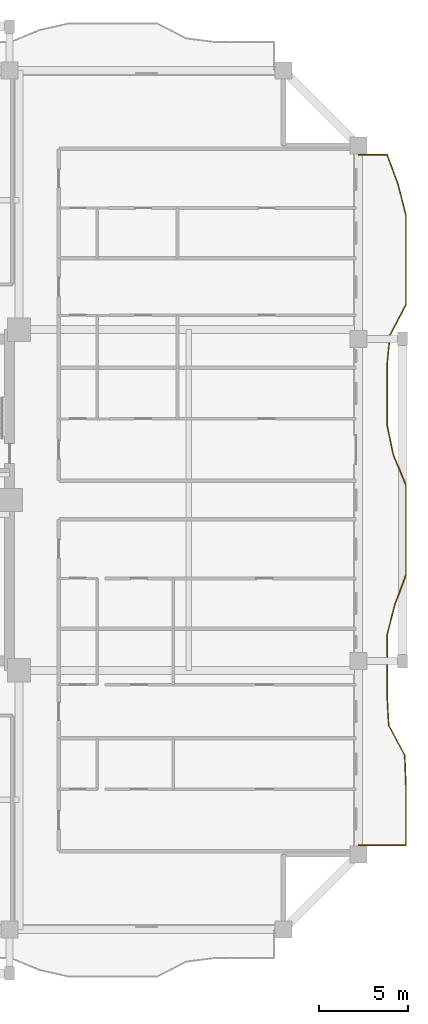
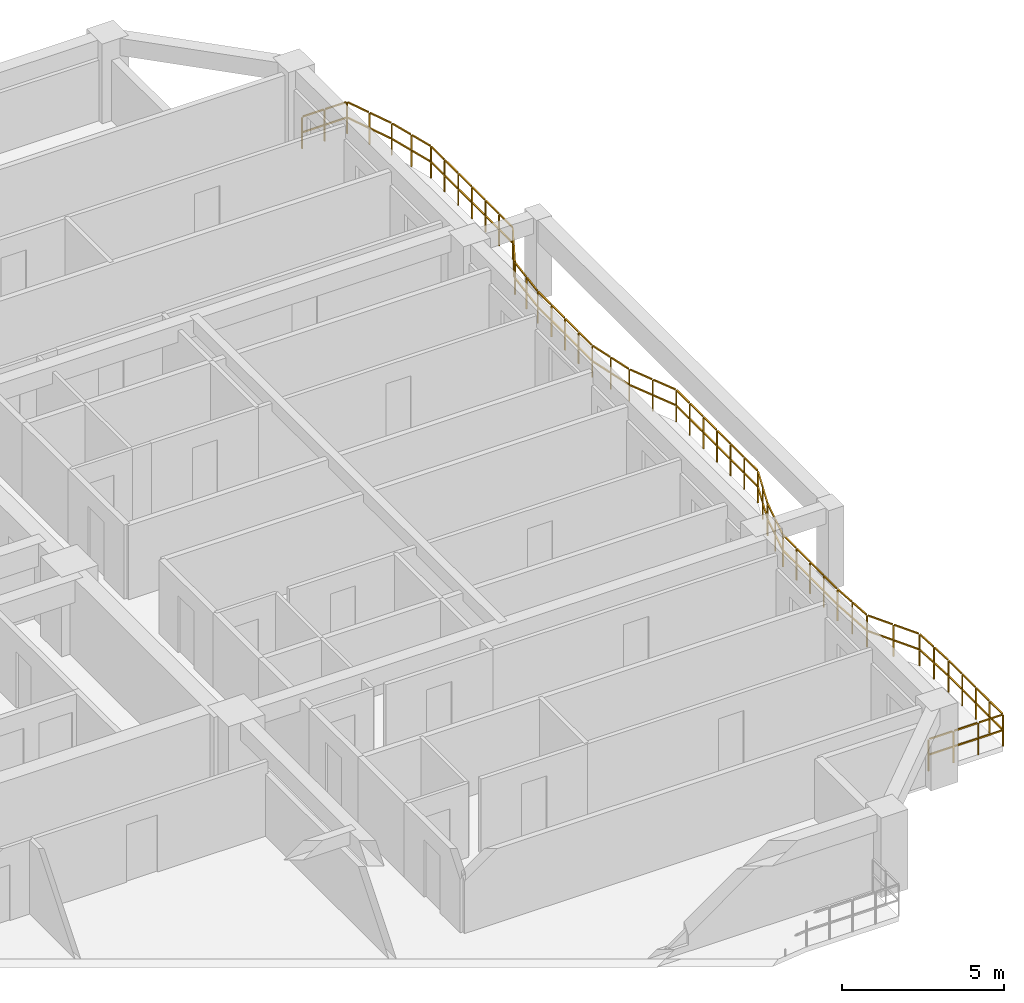
# One storey, part 12 of 13: 1 railing.
"""IFC4 building model written with IfcOpenShell, lengths in metres."""

from ifc_helpers import new_model, si_unit, direction, frame, origin, origin_2d, place, context, subcontext, project, spatial, rectangle, extrude, material, type_object, element, save


model = new_model("IFC4")

# Units and contexts
model_context = context("Model", 3, precision=1e-05, world=origin(), true_north=direction((0.0, 1.0)))
body_context = subcontext(model_context, "Body", "Model", "MODEL_VIEW")
ifc_project = project(units=[si_unit("LENGTHUNIT", "METRE"), si_unit("AREAUNIT", "SQUARE_METRE"), si_unit("VOLUMEUNIT", "CUBIC_METRE"), si_unit("PLANEANGLEUNIT", "RADIAN"), si_unit("MASSUNIT", "GRAM", prefix="KILO")], contexts=[model_context])

# Site, building, storey
site_placement = place(None, origin())
site = spatial("IfcSite", under=ifc_project, at=site_placement, CompositionType="ELEMENT")
building_placement = place(site_placement, origin())
building = spatial("IfcBuilding", under=site, at=building_placement, Name="Saelheon Loggia Tower", CompositionType="ELEMENT")
storey_placement = place(building_placement, frame((0.0, 0.0, 92.85009765625)))
storey = spatial("IfcBuildingStorey", under=building, at=storey_placement, Name="L29", CompositionType="ELEMENT", Elevation=92.85009765625)

# Railing
ifc_material = material(Name="Architectural Precast Concrete and Laminated Glass Guard", Category="concrete")
railing_type = type_object("IfcRailingType", Name="Guard_Loggia_RL_LOG", PredefinedType="BALUSTRADE", material=ifc_material)
railing_placement = place(storey_placement, frame((64.0, 7.699951171875, 0.0)))
element("IfcRailing", 1, at=railing_placement, inside=storey, type_object=railing_type, Name="L29 East Loggia Balustrade", PredefinedType="BALUSTRADE", context=body_context, shape_type="SweptSolid", body=[
    extrude(rectangle(XDim=0.048095703125, YDim=0.048095703125, at=origin_2d()), frame((0.033203125, 0.0, 1.19580078125), z_axis=(1.0, 0.0, 0.0), x_axis=(0.0, 1.0, 0.0)), (0.0, 0.0, 1.0), 0.81689453125),
    extrude(rectangle(XDim=0.048095703125, YDim=0.048095703125, at=origin_2d()), frame((0.033203125, 0.0, 0.60986328125), z_axis=(1.0, 0.0, 0.0), x_axis=(0.0, 1.0, 0.0)), (0.0, 0.0, 1.0), 0.81689453125),
    extrude(rectangle(XDim=0.048095703125, YDim=0.048095703125, at=origin_2d()), frame((0.91650390625, 0.0, 1.19580078125), z_axis=(1.0, 0.0, 0.0), x_axis=(0.0, 1.0, 0.0)), (0.0, 0.0, 1.0), 0.81689453125),
    extrude(rectangle(XDim=0.048095703125, YDim=0.048095703125, at=origin_2d()), frame((0.91650390625, 0.0, 0.60986328125), z_axis=(1.0, 0.0, 0.0), x_axis=(0.0, 1.0, 0.0)), (0.0, 0.0, 1.0), 0.81689453125),
    extrude(rectangle(XDim=0.048095703125, YDim=0.048095703125, at=origin_2d()), frame((1.7998046875, 0.0, 1.19580078125), z_axis=(1.0, 0.0, 0.0), x_axis=(0.0, 1.0, 0.0)), (0.0, 0.0, 1.0), 0.81689453125),
    extrude(rectangle(XDim=0.048095703125, YDim=0.048095703125, at=origin_2d()), frame((1.7998046875, 0.0, 0.60986328125), z_axis=(1.0, 0.0, 0.0), x_axis=(0.0, 1.0, 0.0)), (0.0, 0.0, 1.0), 0.81689453125),
    extrude(rectangle(XDim=0.048095703125, YDim=0.048095703125, at=origin_2d()), frame((2.64990234375, 0.033203125, 1.19580078125), z_axis=(0.0, 1.0, 0.0), x_axis=(-1.0, 0.0, 0.0)), (0.0, 0.0, 1.0), 0.772705078125),
    extrude(rectangle(XDim=0.048095703125, YDim=0.048095703125, at=origin_2d()), frame((2.64990234375, 0.033203125, 0.60986328125), z_axis=(0.0, 1.0, 0.0), x_axis=(-1.0, 0.0, 0.0)), (0.0, 0.0, 1.0), 0.772705078125),
    extrude(rectangle(XDim=0.048095703125, YDim=0.048095703125, at=origin_2d()), frame((2.64990234375, 0.87255859375, 1.19580078125), z_axis=(0.0, 1.0, 0.0), x_axis=(-1.0, 0.0, 0.0)), (0.0, 0.0, 1.0), 0.772705078125),
    extrude(rectangle(XDim=0.048095703125, YDim=0.048095703125, at=origin_2d()), frame((2.64990234375, 0.87255859375, 0.60986328125), z_axis=(0.0, 1.0, 0.0), x_axis=(-1.0, 0.0, 0.0)), (0.0, 0.0, 1.0), 0.772705078125),
    extrude(rectangle(XDim=0.048095703125, YDim=0.048095703125, at=origin_2d()), frame((2.64990234375, 1.711669921875, 1.19580078125), z_axis=(0.0, 1.0, 0.0), x_axis=(-1.0, 0.0, 0.0)), (0.0, 0.0, 1.0), 0.7724609375),
    extrude(rectangle(XDim=0.048095703125, YDim=0.048095703125, at=origin_2d()), frame((2.64990234375, 1.711669921875, 0.60986328125), z_axis=(0.0, 1.0, 0.0), x_axis=(-1.0, 0.0, 0.0)), (0.0, 0.0, 1.0), 0.7724609375),
    extrude(rectangle(XDim=0.048095703125, YDim=0.048095703125, at=origin_2d()), frame((2.64990234375, 2.55078125, 1.19580078125), z_axis=(0.0, 1.0, 0.0), x_axis=(-1.0, 0.0, 0.0)), (0.0, 0.0, 1.0), 0.7724609375),
    extrude(rectangle(XDim=0.048095703125, YDim=0.048095703125, at=origin_2d()), frame((2.64990234375, 2.55078125, 0.60986328125), z_axis=(0.0, 1.0, 0.0), x_axis=(-1.0, 0.0, 0.0)), (0.0, 0.0, 1.0), 0.7724609375),
    extrude(rectangle(XDim=0.048095703125, YDim=0.048095703125, at=origin_2d()), frame((2.648681640625, 3.3896484375, 1.19580078125), z_axis=(-0.038516851919, 0.999257950741, 0.0), x_axis=(-0.999257950741, -0.038516851919, 0.0)), (0.0, 0.0, 1.0), 0.7734375),
    extrude(rectangle(XDim=0.048095703125, YDim=0.048095703125, at=origin_2d()), frame((2.648681640625, 3.3896484375, 0.60986328125), z_axis=(-0.038516851919, 0.999257950741, 0.0), x_axis=(-0.999257950741, -0.038516851919, 0.0)), (0.0, 0.0, 1.0), 0.7734375),
    extrude(rectangle(XDim=0.048095703125, YDim=0.048095703125, at=origin_2d()), frame((2.6162109375, 4.22900390625, 1.19580078125), z_axis=(-0.038516851919, 0.999257950741, 0.0), x_axis=(-0.999257950741, -0.038516851919, 0.0)), (0.0, 0.0, 1.0), 0.7734375),
    extrude(rectangle(XDim=0.048095703125, YDim=0.048095703125, at=origin_2d()), frame((2.6162109375, 4.22900390625, 0.60986328125), z_axis=(-0.038516851919, 0.999257950741, 0.0), x_axis=(-0.999257950741, -0.038516851919, 0.0)), (0.0, 0.0, 1.0), 0.7734375),
    extrude(rectangle(XDim=0.048095703125, YDim=0.048095703125, at=origin_2d()), frame((2.569580078125, 5.064208984375, 1.19580078125), z_axis=(-0.470574910471, 0.88236004762, 0.0), x_axis=(-0.88236004762, -0.470574910471, 0.0)), (0.0, 0.0, 1.0), 0.884521484375),
    extrude(rectangle(XDim=0.048095703125, YDim=0.048095703125, at=origin_2d()), frame((2.569580078125, 5.064208984375, 0.60986328125), z_axis=(-0.470574910471, 0.88236004762, 0.0), x_axis=(-0.88236004762, -0.470574910471, 0.0)), (0.0, 0.0, 1.0), 0.884521484375),
    extrude(rectangle(XDim=0.048095703125, YDim=0.048095703125, at=origin_2d()), frame((2.1220703125, 5.9033203125, 1.19580078125), z_axis=(-0.470574910471, 0.88236004762, 0.0), x_axis=(-0.88236004762, -0.470574910471, 0.0)), (0.0, 0.0, 1.0), 0.884521484375),
    extrude(rectangle(XDim=0.048095703125, YDim=0.048095703125, at=origin_2d()), frame((2.1220703125, 5.9033203125, 0.60986328125), z_axis=(-0.470574910471, 0.88236004762, 0.0), x_axis=(-0.88236004762, -0.470574910471, 0.0)), (0.0, 0.0, 1.0), 0.884521484375),
    extrude(rectangle(XDim=0.048095703125, YDim=0.048095703125, at=origin_2d()), frame((1.6884765625, 6.746337890625, 1.19580078125), z_axis=(-0.053603359192, 0.99856230646, 0.0), x_axis=(-0.99856230646, -0.053603359192, 0.0)), (0.0, 0.0, 1.0), 0.77392578125),
    extrude(rectangle(XDim=0.048095703125, YDim=0.048095703125, at=origin_2d()), frame((1.6884765625, 6.746337890625, 0.60986328125), z_axis=(-0.053603359192, 0.99856230646, 0.0), x_axis=(-0.99856230646, -0.053603359192, 0.0)), (0.0, 0.0, 1.0), 0.77392578125),
    extrude(rectangle(XDim=0.048095703125, YDim=0.048095703125, at=origin_2d()), frame((1.643310546875, 7.58544921875, 1.19580078125), z_axis=(-0.053603359192, 0.99856230646, 0.0), x_axis=(-0.99856230646, -0.053603359192, 0.0)), (0.0, 0.0, 1.0), 0.77392578125),
    extrude(rectangle(XDim=0.048095703125, YDim=0.048095703125, at=origin_2d()), frame((1.643310546875, 7.58544921875, 0.60986328125), z_axis=(-0.053603359192, 0.99856230646, 0.0), x_axis=(-0.99856230646, -0.053603359192, 0.0)), (0.0, 0.0, 1.0), 0.77392578125),
    extrude(rectangle(XDim=0.048095703125, YDim=0.048095703125, at=origin_2d()), frame((1.60009765625, 8.424560546875, 1.19580078125), z_axis=(0.0, 1.0, 0.0), x_axis=(-1.0, 0.0, 0.0)), (0.0, 0.0, 1.0), 0.772705078125),
    extrude(rectangle(XDim=0.048095703125, YDim=0.048095703125, at=origin_2d()), frame((1.60009765625, 8.424560546875, 0.60986328125), z_axis=(0.0, 1.0, 0.0), x_axis=(-1.0, 0.0, 0.0)), (0.0, 0.0, 1.0), 0.772705078125),
    extrude(rectangle(XDim=0.048095703125, YDim=0.048095703125, at=origin_2d()), frame((1.60009765625, 9.263671875, 1.19580078125), z_axis=(0.0, 1.0, 0.0), x_axis=(-1.0, 0.0, 0.0)), (0.0, 0.0, 1.0), 0.772705078125),
    extrude(rectangle(XDim=0.048095703125, YDim=0.048095703125, at=origin_2d()), frame((1.60009765625, 9.263671875, 0.60986328125), z_axis=(0.0, 1.0, 0.0), x_axis=(-1.0, 0.0, 0.0)), (0.0, 0.0, 1.0), 0.772705078125),
    extrude(rectangle(XDim=0.048095703125, YDim=0.048095703125, at=origin_2d()), frame((1.60009765625, 10.102783203125, 1.19580078125), z_axis=(0.0, 1.0, 0.0), x_axis=(-1.0, 0.0, 0.0)), (0.0, 0.0, 1.0), 0.772705078125),
    extrude(rectangle(XDim=0.048095703125, YDim=0.048095703125, at=origin_2d()), frame((1.60009765625, 10.102783203125, 0.60986328125), z_axis=(0.0, 1.0, 0.0), x_axis=(-1.0, 0.0, 0.0)), (0.0, 0.0, 1.0), 0.772705078125),
    extrude(rectangle(XDim=0.048095703125, YDim=0.048095703125, at=origin_2d()), frame((1.60009765625, 10.94189453125, 1.19580078125), z_axis=(0.0, 1.0, 0.0), x_axis=(-1.0, 0.0, 0.0)), (0.0, 0.0, 1.0), 0.772705078125),
    extrude(rectangle(XDim=0.048095703125, YDim=0.048095703125, at=origin_2d()), frame((1.60009765625, 10.94189453125, 0.60986328125), z_axis=(0.0, 1.0, 0.0), x_axis=(-1.0, 0.0, 0.0)), (0.0, 0.0, 1.0), 0.772705078125),
    extrude(rectangle(XDim=0.048095703125, YDim=0.048095703125, at=origin_2d()), frame((1.6083984375, 11.780029296875, 1.19580078125), z_axis=(0.247208698516, 0.968962259006, 0.0), x_axis=(-0.968962259006, 0.247208698516, 0.0)), (0.0, 0.0, 1.0), 0.799560546875),
    extrude(rectangle(XDim=0.048095703125, YDim=0.048095703125, at=origin_2d()), frame((1.6083984375, 11.780029296875, 0.60986328125), z_axis=(0.247208698516, 0.968962259006, 0.0), x_axis=(-0.968962259006, 0.247208698516, 0.0)), (0.0, 0.0, 1.0), 0.799560546875),
    extrude(rectangle(XDim=0.048095703125, YDim=0.048095703125, at=origin_2d()), frame((1.822509765625, 12.619140625, 1.19580078125), z_axis=(0.247208698516, 0.968962259006, 0.0), x_axis=(-0.968962259006, 0.247208698516, 0.0)), (0.0, 0.0, 1.0), 0.799560546875),
    extrude(rectangle(XDim=0.048095703125, YDim=0.048095703125, at=origin_2d()), frame((1.822509765625, 12.619140625, 0.60986328125), z_axis=(0.247208698516, 0.968962259006, 0.0), x_axis=(-0.968962259006, 0.247208698516, 0.0)), (0.0, 0.0, 1.0), 0.799560546875),
    extrude(rectangle(XDim=0.048095703125, YDim=0.048095703125, at=origin_2d()), frame((2.039794921875, 13.45751953125, 1.19580078125), z_axis=(0.347367679111, 0.937729009634, 0.0), x_axis=(-0.937729009634, 0.347367679111, 0.0)), (0.0, 0.0, 1.0), 0.828125),
    extrude(rectangle(XDim=0.048095703125, YDim=0.048095703125, at=origin_2d()), frame((2.039794921875, 13.45751953125, 0.60986328125), z_axis=(0.347367679111, 0.937729009634, 0.0), x_axis=(-0.937729009634, 0.347367679111, 0.0)), (0.0, 0.0, 1.0), 0.828125),
    extrude(rectangle(XDim=0.048095703125, YDim=0.048095703125, at=origin_2d()), frame((2.3505859375, 14.29638671875, 1.19580078125), z_axis=(0.347367679111, 0.937729009634, 0.0), x_axis=(-0.937729009634, 0.347367679111, 0.0)), (0.0, 0.0, 1.0), 0.828125),
    extrude(rectangle(XDim=0.048095703125, YDim=0.048095703125, at=origin_2d()), frame((2.3505859375, 14.29638671875, 0.60986328125), z_axis=(0.347367679111, 0.937729009634, 0.0), x_axis=(-0.937729009634, 0.347367679111, 0.0)), (0.0, 0.0, 1.0), 0.828125),
    extrude(rectangle(XDim=0.048095703125, YDim=0.048095703125, at=origin_2d()), frame((2.64990234375, 15.137451171875, 1.19580078125), z_axis=(0.0, 1.0, 0.0), x_axis=(-1.0, 0.0, 0.0)), (0.0, 0.0, 1.0), 0.772705078125),
    extrude(rectangle(XDim=0.048095703125, YDim=0.048095703125, at=origin_2d()), frame((2.64990234375, 15.137451171875, 0.60986328125), z_axis=(0.0, 1.0, 0.0), x_axis=(-1.0, 0.0, 0.0)), (0.0, 0.0, 1.0), 0.772705078125),
    extrude(rectangle(XDim=0.048095703125, YDim=0.048095703125, at=origin_2d()), frame((2.64990234375, 15.976806640625, 1.19580078125), z_axis=(0.0, 1.0, 0.0), x_axis=(-1.0, 0.0, 0.0)), (0.0, 0.0, 1.0), 0.772705078125),
    extrude(rectangle(XDim=0.048095703125, YDim=0.048095703125, at=origin_2d()), frame((2.64990234375, 15.976806640625, 0.60986328125), z_axis=(0.0, 1.0, 0.0), x_axis=(-1.0, 0.0, 0.0)), (0.0, 0.0, 1.0), 0.772705078125),
    extrude(rectangle(XDim=0.048095703125, YDim=0.048095703125, at=origin_2d()), frame((2.64990234375, 16.81591796875, 1.19580078125), z_axis=(0.0, 1.0, 0.0), x_axis=(-1.0, 0.0, 0.0)), (0.0, 0.0, 1.0), 0.772705078125),
    extrude(rectangle(XDim=0.048095703125, YDim=0.048095703125, at=origin_2d()), frame((2.64990234375, 16.81591796875, 0.60986328125), z_axis=(0.0, 1.0, 0.0), x_axis=(-1.0, 0.0, 0.0)), (0.0, 0.0, 1.0), 0.772705078125),
    extrude(rectangle(XDim=0.048095703125, YDim=0.048095703125, at=origin_2d()), frame((2.64990234375, 17.655029296875, 1.19580078125), z_axis=(0.0, 1.0, 0.0), x_axis=(-1.0, 0.0, 0.0)), (0.0, 0.0, 1.0), 0.772705078125),
    extrude(rectangle(XDim=0.048095703125, YDim=0.048095703125, at=origin_2d()), frame((2.64990234375, 17.655029296875, 0.60986328125), z_axis=(0.0, 1.0, 0.0), x_axis=(-1.0, 0.0, 0.0)), (0.0, 0.0, 1.0), 0.772705078125),
    extrude(rectangle(XDim=0.048095703125, YDim=0.048095703125, at=origin_2d()), frame((2.64990234375, 18.494140625, 1.19580078125), z_axis=(0.0, 1.0, 0.0), x_axis=(-1.0, 0.0, 0.0)), (0.0, 0.0, 1.0), 0.772705078125),
    extrude(rectangle(XDim=0.048095703125, YDim=0.048095703125, at=origin_2d()), frame((2.64990234375, 18.494140625, 0.60986328125), z_axis=(0.0, 1.0, 0.0), x_axis=(-1.0, 0.0, 0.0)), (0.0, 0.0, 1.0), 0.772705078125),
    extrude(rectangle(XDim=0.048095703125, YDim=0.048095703125, at=origin_2d()), frame((2.64990234375, 19.333251953125, 1.19580078125), z_axis=(0.0, 1.0, 0.0), x_axis=(-1.0, 0.0, 0.0)), (0.0, 0.0, 1.0), 0.772705078125),
    extrude(rectangle(XDim=0.048095703125, YDim=0.048095703125, at=origin_2d()), frame((2.64990234375, 19.333251953125, 0.60986328125), z_axis=(0.0, 1.0, 0.0), x_axis=(-1.0, 0.0, 0.0)), (0.0, 0.0, 1.0), 0.772705078125),
    extrude(rectangle(XDim=0.048095703125, YDim=0.048095703125, at=origin_2d()), frame((2.63720703125, 20.169921875, 1.19580078125), z_axis=(-0.384481881871, 0.923132537891, 0.0), x_axis=(-0.923132537891, -0.384481881871, 0.0)), (0.0, 0.0, 1.0), 0.842529296875),
    extrude(rectangle(XDim=0.048095703125, YDim=0.048095703125, at=origin_2d()), frame((2.63720703125, 20.169921875, 0.60986328125), z_axis=(-0.384481881871, 0.923132537891, 0.0), x_axis=(-0.923132537891, -0.384481881871, 0.0)), (0.0, 0.0, 1.0), 0.842529296875),
    extrude(rectangle(XDim=0.048095703125, YDim=0.048095703125, at=origin_2d()), frame((2.28759765625, 21.009033203125, 1.19580078125), z_axis=(-0.384481881871, 0.923132537891, 0.0), x_axis=(-0.923132537891, -0.384481881871, 0.0)), (0.0, 0.0, 1.0), 0.842529296875),
    extrude(rectangle(XDim=0.048095703125, YDim=0.048095703125, at=origin_2d()), frame((2.28759765625, 21.009033203125, 0.60986328125), z_axis=(-0.384481881871, 0.923132537891, 0.0), x_axis=(-0.923132537891, -0.384481881871, 0.0)), (0.0, 0.0, 1.0), 0.842529296875),
    extrude(rectangle(XDim=0.048095703125, YDim=0.048095703125, at=origin_2d()), frame((1.944091796875, 21.849853515625, 1.19580078125), z_axis=(-0.204596686386, 0.978846359711, 0.0), x_axis=(-0.978846359711, -0.204596686386, 0.0)), (0.0, 0.0, 1.0), 0.791015625),
    extrude(rectangle(XDim=0.048095703125, YDim=0.048095703125, at=origin_2d()), frame((1.944091796875, 21.849853515625, 0.60986328125), z_axis=(-0.204596686386, 0.978846359711, 0.0), x_axis=(-0.978846359711, -0.204596686386, 0.0)), (0.0, 0.0, 1.0), 0.791015625),
    extrude(rectangle(XDim=0.048095703125, YDim=0.048095703125, at=origin_2d()), frame((1.768798828125, 22.689208984375, 1.19580078125), z_axis=(-0.204596686386, 0.978846359711, 0.0), x_axis=(-0.978846359711, -0.204596686386, 0.0)), (0.0, 0.0, 1.0), 0.791015625),
    extrude(rectangle(XDim=0.048095703125, YDim=0.048095703125, at=origin_2d()), frame((1.768798828125, 22.689208984375, 0.60986328125), z_axis=(-0.204596686386, 0.978846359711, 0.0), x_axis=(-0.978846359711, -0.204596686386, 0.0)), (0.0, 0.0, 1.0), 0.791015625),
    extrude(rectangle(XDim=0.048095703125, YDim=0.048095703125, at=origin_2d()), frame((1.60009765625, 23.529052734375, 1.19580078125), z_axis=(0.0, 1.0, 0.0), x_axis=(-1.0, 0.0, 0.0)), (0.0, 0.0, 1.0), 0.7724609375),
    extrude(rectangle(XDim=0.048095703125, YDim=0.048095703125, at=origin_2d()), frame((1.60009765625, 23.529052734375, 0.60986328125), z_axis=(0.0, 1.0, 0.0), x_axis=(-1.0, 0.0, 0.0)), (0.0, 0.0, 1.0), 0.7724609375),
    extrude(rectangle(XDim=0.048095703125, YDim=0.048095703125, at=origin_2d()), frame((1.60009765625, 24.3681640625, 1.19580078125), z_axis=(0.0, 1.0, 0.0), x_axis=(-1.0, 0.0, 0.0)), (0.0, 0.0, 1.0), 0.7724609375),
    extrude(rectangle(XDim=0.048095703125, YDim=0.048095703125, at=origin_2d()), frame((1.60009765625, 24.3681640625, 0.60986328125), z_axis=(0.0, 1.0, 0.0), x_axis=(-1.0, 0.0, 0.0)), (0.0, 0.0, 1.0), 0.7724609375),
    extrude(rectangle(XDim=0.048095703125, YDim=0.048095703125, at=origin_2d()), frame((1.60009765625, 25.20703125, 1.19580078125), z_axis=(0.0, 1.0, 0.0), x_axis=(-1.0, 0.0, 0.0)), (0.0, 0.0, 1.0), 0.772705078125),
    extrude(rectangle(XDim=0.048095703125, YDim=0.048095703125, at=origin_2d()), frame((1.60009765625, 25.20703125, 0.60986328125), z_axis=(0.0, 1.0, 0.0), x_axis=(-1.0, 0.0, 0.0)), (0.0, 0.0, 1.0), 0.772705078125),
    extrude(rectangle(XDim=0.048095703125, YDim=0.048095703125, at=origin_2d()), frame((1.60009765625, 26.04638671875, 1.19580078125), z_axis=(0.0, 1.0, 0.0), x_axis=(-1.0, 0.0, 0.0)), (0.0, 0.0, 1.0), 0.772705078125),
    extrude(rectangle(XDim=0.048095703125, YDim=0.048095703125, at=origin_2d()), frame((1.60009765625, 26.04638671875, 0.60986328125), z_axis=(0.0, 1.0, 0.0), x_axis=(-1.0, 0.0, 0.0)), (0.0, 0.0, 1.0), 0.772705078125),
    extrude(rectangle(XDim=0.048095703125, YDim=0.048095703125, at=origin_2d()), frame((1.603271484375, 26.88525390625, 1.19580078125), z_axis=(0.097295853683, 0.995255503304, 0.0), x_axis=(-0.995255503304, 0.097295853683, 0.0)), (0.0, 0.0, 1.0), 0.776611328125),
    extrude(rectangle(XDim=0.048095703125, YDim=0.048095703125, at=origin_2d()), frame((1.603271484375, 26.88525390625, 0.60986328125), z_axis=(0.097295853683, 0.995255503304, 0.0), x_axis=(-0.995255503304, 0.097295853683, 0.0)), (0.0, 0.0, 1.0), 0.776611328125),
    extrude(rectangle(XDim=0.048095703125, YDim=0.048095703125, at=origin_2d()), frame((1.685302734375, 27.724365234375, 1.19580078125), z_axis=(0.097295853683, 0.995255503304, 0.0), x_axis=(-0.995255503304, 0.097295853683, 0.0)), (0.0, 0.0, 1.0), 0.776611328125),
    extrude(rectangle(XDim=0.048095703125, YDim=0.048095703125, at=origin_2d()), frame((1.685302734375, 27.724365234375, 0.60986328125), z_axis=(0.097295853683, 0.995255503304, 0.0), x_axis=(-0.995255503304, 0.097295853683, 0.0)), (0.0, 0.0, 1.0), 0.776611328125),
    extrude(rectangle(XDim=0.048095703125, YDim=0.048095703125, at=origin_2d()), frame((1.77978515625, 28.559814453125, 1.19580078125), z_axis=(0.466764209915, 0.884381802358, 0.0), x_axis=(-0.884381802358, 0.466764209915, 0.0)), (0.0, 0.0, 1.0), 0.88232421875),
    extrude(rectangle(XDim=0.048095703125, YDim=0.048095703125, at=origin_2d()), frame((1.77978515625, 28.559814453125, 0.60986328125), z_axis=(0.466764209915, 0.884381802358, 0.0), x_axis=(-0.884381802358, 0.466764209915, 0.0)), (0.0, 0.0, 1.0), 0.88232421875),
    extrude(rectangle(XDim=0.048095703125, YDim=0.048095703125, at=origin_2d()), frame((2.22265625, 29.39892578125, 1.19580078125), z_axis=(0.466764209915, 0.884381802358, 0.0), x_axis=(-0.884381802358, 0.466764209915, 0.0)), (0.0, 0.0, 1.0), 0.88232421875),
    extrude(rectangle(XDim=0.048095703125, YDim=0.048095703125, at=origin_2d()), frame((2.22265625, 29.39892578125, 0.60986328125), z_axis=(0.466764209915, 0.884381802358, 0.0), x_axis=(-0.884381802358, 0.466764209915, 0.0)), (0.0, 0.0, 1.0), 0.88232421875),
    extrude(rectangle(XDim=0.048095703125, YDim=0.048095703125, at=origin_2d()), frame((2.64990234375, 30.241943359375, 1.19580078125), z_axis=(0.0, 1.0, 0.0), x_axis=(-1.0, 0.0, 0.0)), (0.0, 0.0, 1.0), 0.772705078125),
    extrude(rectangle(XDim=0.048095703125, YDim=0.048095703125, at=origin_2d()), frame((2.64990234375, 30.241943359375, 0.60986328125), z_axis=(0.0, 1.0, 0.0), x_axis=(-1.0, 0.0, 0.0)), (0.0, 0.0, 1.0), 0.772705078125),
    extrude(rectangle(XDim=0.048095703125, YDim=0.048095703125, at=origin_2d()), frame((2.64990234375, 31.0810546875, 1.19580078125), z_axis=(0.0, 1.0, 0.0), x_axis=(-1.0, 0.0, 0.0)), (0.0, 0.0, 1.0), 0.772705078125),
    extrude(rectangle(XDim=0.048095703125, YDim=0.048095703125, at=origin_2d()), frame((2.64990234375, 31.0810546875, 0.60986328125), z_axis=(0.0, 1.0, 0.0), x_axis=(-1.0, 0.0, 0.0)), (0.0, 0.0, 1.0), 0.772705078125),
    extrude(rectangle(XDim=0.048095703125, YDim=0.048095703125, at=origin_2d()), frame((2.64990234375, 31.920166015625, 1.19580078125), z_axis=(0.0, 1.0, 0.0), x_axis=(-1.0, 0.0, 0.0)), (0.0, 0.0, 1.0), 0.772705078125),
    extrude(rectangle(XDim=0.048095703125, YDim=0.048095703125, at=origin_2d()), frame((2.64990234375, 31.920166015625, 0.60986328125), z_axis=(0.0, 1.0, 0.0), x_axis=(-1.0, 0.0, 0.0)), (0.0, 0.0, 1.0), 0.772705078125),
    extrude(rectangle(XDim=0.048095703125, YDim=0.048095703125, at=origin_2d()), frame((2.64990234375, 32.75927734375, 1.19580078125), z_axis=(0.0, 1.0, 0.0), x_axis=(-1.0, 0.0, 0.0)), (0.0, 0.0, 1.0), 0.772705078125),
    extrude(rectangle(XDim=0.048095703125, YDim=0.048095703125, at=origin_2d()), frame((2.64990234375, 32.75927734375, 0.60986328125), z_axis=(0.0, 1.0, 0.0), x_axis=(-1.0, 0.0, 0.0)), (0.0, 0.0, 1.0), 0.772705078125),
    extrude(rectangle(XDim=0.048095703125, YDim=0.048095703125, at=origin_2d()), frame((2.64990234375, 33.598388671875, 1.19580078125), z_axis=(0.0, 1.0, 0.0), x_axis=(-1.0, 0.0, 0.0)), (0.0, 0.0, 1.0), 0.772705078125),
    extrude(rectangle(XDim=0.048095703125, YDim=0.048095703125, at=origin_2d()), frame((2.64990234375, 33.598388671875, 0.60986328125), z_axis=(0.0, 1.0, 0.0), x_axis=(-1.0, 0.0, 0.0)), (0.0, 0.0, 1.0), 0.772705078125),
    extrude(rectangle(XDim=0.048095703125, YDim=0.048095703125, at=origin_2d()), frame((2.64990234375, 34.437744140625, 1.19580078125), z_axis=(0.0, 1.0, 0.0), x_axis=(-1.0, 0.0, 0.0)), (0.0, 0.0, 1.0), 0.772705078125),
    extrude(rectangle(XDim=0.048095703125, YDim=0.048095703125, at=origin_2d()), frame((2.64990234375, 34.437744140625, 0.60986328125), z_axis=(0.0, 1.0, 0.0), x_axis=(-1.0, 0.0, 0.0)), (0.0, 0.0, 1.0), 0.772705078125),
    extrude(rectangle(XDim=0.048095703125, YDim=0.048095703125, at=origin_2d()), frame((2.6416015625, 35.27587890625, 1.19580078125), z_axis=(-0.248334659432, 0.968674298681, 0.0), x_axis=(-0.968674298681, -0.248334659432, 0.0)), (0.0, 0.0, 1.0), 0.799560546875),
    extrude(rectangle(XDim=0.048095703125, YDim=0.048095703125, at=origin_2d()), frame((2.6416015625, 35.27587890625, 0.60986328125), z_axis=(-0.248334659432, 0.968674298681, 0.0), x_axis=(-0.968674298681, -0.248334659432, 0.0)), (0.0, 0.0, 1.0), 0.799560546875),
    extrude(rectangle(XDim=0.048095703125, YDim=0.048095703125, at=origin_2d()), frame((2.426513671875, 36.11474609375, 1.19580078125), z_axis=(-0.248334659432, 0.968674298681, 0.0), x_axis=(-0.968674298681, -0.248334659432, 0.0)), (0.0, 0.0, 1.0), 0.799560546875),
    extrude(rectangle(XDim=0.048095703125, YDim=0.048095703125, at=origin_2d()), frame((2.426513671875, 36.11474609375, 0.60986328125), z_axis=(-0.248334659432, 0.968674298681, 0.0), x_axis=(-0.968674298681, -0.248334659432, 0.0)), (0.0, 0.0, 1.0), 0.799560546875),
    extrude(rectangle(XDim=0.048095703125, YDim=0.048095703125, at=origin_2d()), frame((2.208251953125, 36.952880859375, 1.19580078125), z_axis=(-0.346318659518, 0.938116936245, 0.0), x_axis=(-0.938116936245, -0.346318659518, 0.0)), (0.0, 0.0, 1.0), 0.828125),
    extrude(rectangle(XDim=0.048095703125, YDim=0.048095703125, at=origin_2d()), frame((2.208251953125, 36.952880859375, 0.60986328125), z_axis=(-0.346318659518, 0.938116936245, 0.0), x_axis=(-0.938116936245, -0.346318659518, 0.0)), (0.0, 0.0, 1.0), 0.828125),
    extrude(rectangle(XDim=0.048095703125, YDim=0.048095703125, at=origin_2d()), frame((1.8984375, 37.7919921875, 1.19580078125), z_axis=(-0.346318659518, 0.938116936245, 0.0), x_axis=(-0.938116936245, -0.346318659518, 0.0)), (0.0, 0.0, 1.0), 0.828125),
    extrude(rectangle(XDim=0.048095703125, YDim=0.048095703125, at=origin_2d()), frame((1.8984375, 37.7919921875, 0.60986328125), z_axis=(-0.346318659518, 0.938116936245, 0.0), x_axis=(-0.938116936245, -0.346318659518, 0.0)), (0.0, 0.0, 1.0), 0.828125),
    extrude(rectangle(XDim=0.048095703125, YDim=0.048095703125, at=origin_2d()), frame((1.56689453125, 38.60009765625, 1.19580078125), z_axis=(-1.0, 0.0, 0.0), x_axis=(0.0, -1.0, 0.0)), (0.0, 0.0, 1.0), 0.733642578125),
    extrude(rectangle(XDim=0.048095703125, YDim=0.048095703125, at=origin_2d()), frame((1.56689453125, 38.60009765625, 0.60986328125), z_axis=(-1.0, 0.0, 0.0), x_axis=(0.0, -1.0, 0.0)), (0.0, 0.0, 1.0), 0.733642578125),
    extrude(rectangle(XDim=0.048095703125, YDim=0.048095703125, at=origin_2d()), frame((0.766845703125, 38.60009765625, 1.19580078125), z_axis=(-1.0, 0.0, 0.0), x_axis=(0.0, -1.0, 0.0)), (0.0, 0.0, 1.0), 0.733642578125),
    extrude(rectangle(XDim=0.048095703125, YDim=0.048095703125, at=origin_2d()), frame((0.766845703125, 38.60009765625, 0.60986328125), z_axis=(-1.0, 0.0, 0.0), x_axis=(0.0, -1.0, 0.0)), (0.0, 0.0, 1.0), 0.733642578125),
    extrude(rectangle(XDim=0.0419921875, YDim=0.0419921875, at=origin_2d()), origin(), (0.0, 0.0, 1.0), 1.16796875),
    extrude(rectangle(XDim=0.0419921875, YDim=0.0419921875, at=origin_2d()), frame((0.88330078125, 0.0, 0.0)), (0.0, 0.0, 1.0), 1.16796875),
    extrude(rectangle(XDim=0.0419921875, YDim=0.0419921875, at=origin_2d()), frame((1.7666015625, 0.0, 0.0)), (0.0, 0.0, 1.0), 1.16796875),
    extrude(rectangle(XDim=0.0419921875, YDim=0.0419921875, at=origin_2d()), frame((2.64990234375, 0.0, 0.0)), (0.0, 0.0, 1.0), 1.16796875),
    extrude(rectangle(XDim=0.0419921875, YDim=0.0419921875, at=origin_2d()), frame((2.64990234375, 0.83935546875, 0.0)), (0.0, 0.0, 1.0), 1.16796875),
    extrude(rectangle(XDim=0.0419921875, YDim=0.0419921875, at=origin_2d()), frame((2.64990234375, 1.678466796875, 0.0)), (0.0, 0.0, 1.0), 1.16796875),
    extrude(rectangle(XDim=0.0419921875, YDim=0.0419921875, at=origin_2d()), frame((2.64990234375, 2.517578125, 0.0)), (0.0, 0.0, 1.0), 1.16796875),
    extrude(rectangle(XDim=0.0419921875, YDim=0.0419921875, at=origin_2d()), frame((2.64990234375, 3.3564453125, 0.0)), (0.0, 0.0, 1.0), 1.16796875),
    extrude(rectangle(XDim=0.0419921875, YDim=0.0419921875, at=origin_2d()), frame((2.61767578125, 4.19580078125, 0.0)), (0.0, 0.0, 1.0), 1.16796875),
    extrude(rectangle(XDim=0.0419921875, YDim=0.0419921875, at=origin_2d()), frame((2.585205078125, 5.034912109375, 0.0)), (0.0, 0.0, 1.0), 1.16796875),
    extrude(rectangle(XDim=0.0419921875, YDim=0.0419921875, at=origin_2d()), frame((2.1376953125, 5.8740234375, 0.0)), (0.0, 0.0, 1.0), 1.16796875),
    extrude(rectangle(XDim=0.0419921875, YDim=0.0419921875, at=origin_2d()), frame((1.690185546875, 6.713134765625, 0.0)), (0.0, 0.0, 1.0), 1.16796875),
    extrude(rectangle(XDim=0.0419921875, YDim=0.0419921875, at=origin_2d()), frame((1.64501953125, 7.55224609375, 0.0)), (0.0, 0.0, 1.0), 1.16796875),
    extrude(rectangle(XDim=0.0419921875, YDim=0.0419921875, at=origin_2d()), frame((1.60009765625, 8.391357421875, 0.0)), (0.0, 0.0, 1.0), 1.16796875),
    extrude(rectangle(XDim=0.0419921875, YDim=0.0419921875, at=origin_2d()), frame((1.60009765625, 9.23046875, 0.0)), (0.0, 0.0, 1.0), 1.16796875),
    extrude(rectangle(XDim=0.0419921875, YDim=0.0419921875, at=origin_2d()), frame((1.60009765625, 10.069580078125, 0.0)), (0.0, 0.0, 1.0), 1.16796875),
    extrude(rectangle(XDim=0.0419921875, YDim=0.0419921875, at=origin_2d()), frame((1.60009765625, 10.90869140625, 0.0)), (0.0, 0.0, 1.0), 1.16796875),
    extrude(rectangle(XDim=0.0419921875, YDim=0.0419921875, at=origin_2d()), frame((1.60009765625, 11.747802734375, 0.0)), (0.0, 0.0, 1.0), 1.16796875),
    extrude(rectangle(XDim=0.0419921875, YDim=0.0419921875, at=origin_2d()), frame((1.814208984375, 12.5869140625, 0.0)), (0.0, 0.0, 1.0), 1.16796875),
    extrude(rectangle(XDim=0.0419921875, YDim=0.0419921875, at=origin_2d()), frame((2.0283203125, 13.42626953125, 0.0)), (0.0, 0.0, 1.0), 1.16796875),
    extrude(rectangle(XDim=0.0419921875, YDim=0.0419921875, at=origin_2d()), frame((2.339111328125, 14.26513671875, 0.0)), (0.0, 0.0, 1.0), 1.16796875),
    extrude(rectangle(XDim=0.0419921875, YDim=0.0419921875, at=origin_2d()), frame((2.64990234375, 15.104248046875, 0.0)), (0.0, 0.0, 1.0), 1.16796875),
    extrude(rectangle(XDim=0.0419921875, YDim=0.0419921875, at=origin_2d()), frame((2.64990234375, 15.943359375, 0.0)), (0.0, 0.0, 1.0), 1.16796875),
    extrude(rectangle(XDim=0.0419921875, YDim=0.0419921875, at=origin_2d()), frame((2.64990234375, 16.78271484375, 0.0)), (0.0, 0.0, 1.0), 1.16796875),
    extrude(rectangle(XDim=0.0419921875, YDim=0.0419921875, at=origin_2d()), frame((2.64990234375, 17.621826171875, 0.0)), (0.0, 0.0, 1.0), 1.16796875),
    extrude(rectangle(XDim=0.0419921875, YDim=0.0419921875, at=origin_2d()), frame((2.64990234375, 18.4609375, 0.0)), (0.0, 0.0, 1.0), 1.16796875),
    extrude(rectangle(XDim=0.0419921875, YDim=0.0419921875, at=origin_2d()), frame((2.64990234375, 19.300048828125, 0.0)), (0.0, 0.0, 1.0), 1.16796875),
    extrude(rectangle(XDim=0.0419921875, YDim=0.0419921875, at=origin_2d()), frame((2.64990234375, 20.13916015625, 0.0)), (0.0, 0.0, 1.0), 1.16796875),
    extrude(rectangle(XDim=0.0419921875, YDim=0.0419921875, at=origin_2d()), frame((2.30029296875, 20.978271484375, 0.0)), (0.0, 0.0, 1.0), 1.16796875),
    extrude(rectangle(XDim=0.0419921875, YDim=0.0419921875, at=origin_2d()), frame((1.950927734375, 21.8173828125, 0.0)), (0.0, 0.0, 1.0), 1.16796875),
    extrude(rectangle(XDim=0.0419921875, YDim=0.0419921875, at=origin_2d()), frame((1.775390625, 22.65673828125, 0.0)), (0.0, 0.0, 1.0), 1.16796875),
    extrude(rectangle(XDim=0.0419921875, YDim=0.0419921875, at=origin_2d()), frame((1.60009765625, 23.495849609375, 0.0)), (0.0, 0.0, 1.0), 1.16796875),
    extrude(rectangle(XDim=0.0419921875, YDim=0.0419921875, at=origin_2d()), frame((1.60009765625, 24.3349609375, 0.0)), (0.0, 0.0, 1.0), 1.16796875),
    extrude(rectangle(XDim=0.0419921875, YDim=0.0419921875, at=origin_2d()), frame((1.60009765625, 25.173828125, 0.0)), (0.0, 0.0, 1.0), 1.16796875),
    extrude(rectangle(XDim=0.0419921875, YDim=0.0419921875, at=origin_2d()), frame((1.60009765625, 26.01318359375, 0.0)), (0.0, 0.0, 1.0), 1.16796875),
    extrude(rectangle(XDim=0.0419921875, YDim=0.0419921875, at=origin_2d()), frame((1.60009765625, 26.852294921875, 0.0)), (0.0, 0.0, 1.0), 1.16796875),
    extrude(rectangle(XDim=0.0419921875, YDim=0.0419921875, at=origin_2d()), frame((1.68212890625, 27.69140625, 0.0)), (0.0, 0.0, 1.0), 1.16796875),
    extrude(rectangle(XDim=0.0419921875, YDim=0.0419921875, at=origin_2d()), frame((1.76416015625, 28.530517578125, 0.0)), (0.0, 0.0, 1.0), 1.16796875),
    extrude(rectangle(XDim=0.0419921875, YDim=0.0419921875, at=origin_2d()), frame((2.20703125, 29.36962890625, 0.0)), (0.0, 0.0, 1.0), 1.16796875),
    extrude(rectangle(XDim=0.0419921875, YDim=0.0419921875, at=origin_2d()), frame((2.64990234375, 30.208740234375, 0.0)), (0.0, 0.0, 1.0), 1.16796875),
    extrude(rectangle(XDim=0.0419921875, YDim=0.0419921875, at=origin_2d()), frame((2.64990234375, 31.0478515625, 0.0)), (0.0, 0.0, 1.0), 1.16796875),
    extrude(rectangle(XDim=0.0419921875, YDim=0.0419921875, at=origin_2d()), frame((2.64990234375, 31.886962890625, 0.0)), (0.0, 0.0, 1.0), 1.16796875),
    extrude(rectangle(XDim=0.0419921875, YDim=0.0419921875, at=origin_2d()), frame((2.64990234375, 32.72607421875, 0.0)), (0.0, 0.0, 1.0), 1.16796875),
    extrude(rectangle(XDim=0.0419921875, YDim=0.0419921875, at=origin_2d()), frame((2.64990234375, 33.565185546875, 0.0)), (0.0, 0.0, 1.0), 1.16796875),
    extrude(rectangle(XDim=0.0419921875, YDim=0.0419921875, at=origin_2d()), frame((2.64990234375, 34.404296875, 0.0)), (0.0, 0.0, 1.0), 1.16796875),
    extrude(rectangle(XDim=0.0419921875, YDim=0.0419921875, at=origin_2d()), frame((2.64990234375, 35.24365234375, 0.0)), (0.0, 0.0, 1.0), 1.16796875),
    extrude(rectangle(XDim=0.0419921875, YDim=0.0419921875, at=origin_2d()), frame((2.434814453125, 36.08251953125, 0.0)), (0.0, 0.0, 1.0), 1.16796875),
    extrude(rectangle(XDim=0.0419921875, YDim=0.0419921875, at=origin_2d()), frame((2.2197265625, 36.921630859375, 0.0)), (0.0, 0.0, 1.0), 1.16796875),
    extrude(rectangle(XDim=0.0419921875, YDim=0.0419921875, at=origin_2d()), frame((1.909912109375, 37.7607421875, 0.0)), (0.0, 0.0, 1.0), 1.16796875),
    extrude(rectangle(XDim=0.0419921875, YDim=0.0419921875, at=origin_2d()), frame((1.60009765625, 38.60009765625, 0.0)), (0.0, 0.0, 1.0), 1.16796875),
    extrude(rectangle(XDim=0.0419921875, YDim=0.0419921875, at=origin_2d()), frame((0.800048828125, 38.60009765625, 0.0)), (0.0, 0.0, 1.0), 1.16796875),
    extrude(rectangle(XDim=0.0419921875, YDim=0.0419921875, at=origin_2d()), frame((0.0, 38.60009765625, 0.0)), (0.0, 0.0, 1.0), 1.16796875),
])

save(model, "model.ifc")
